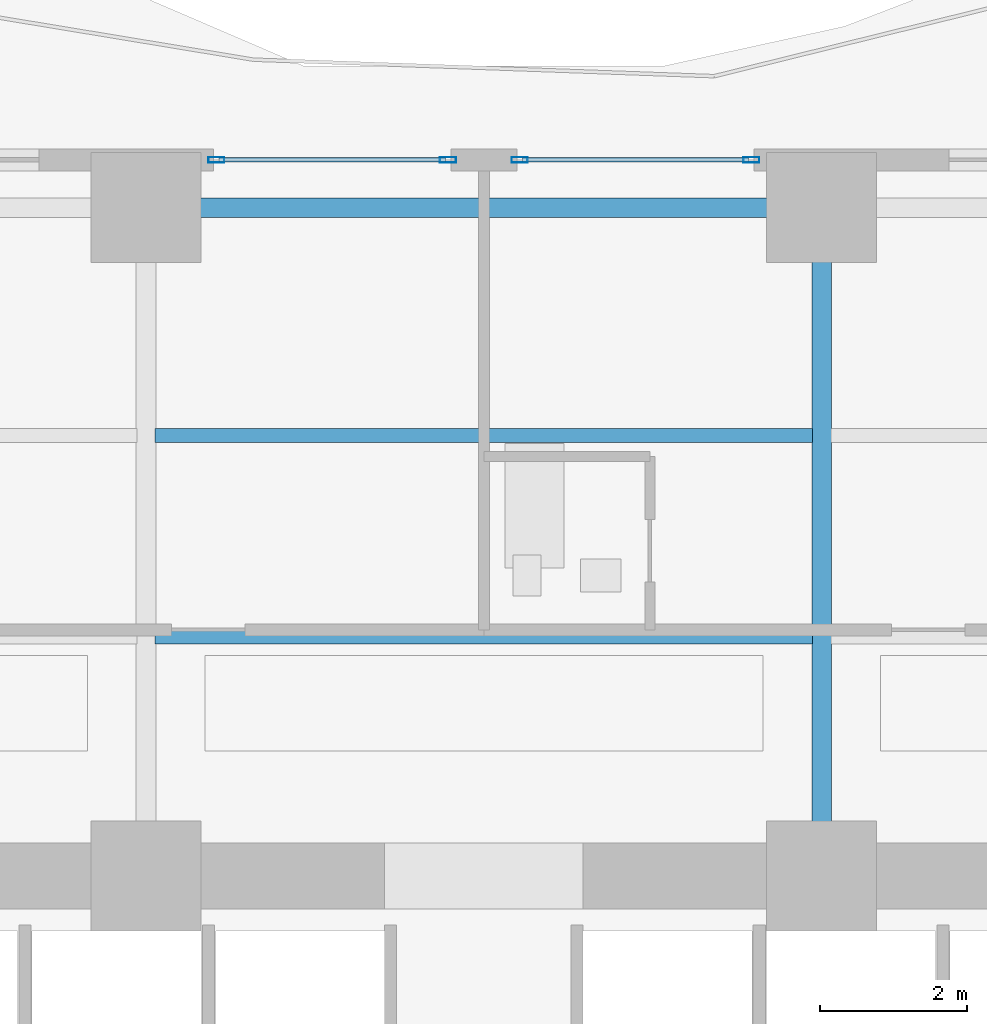
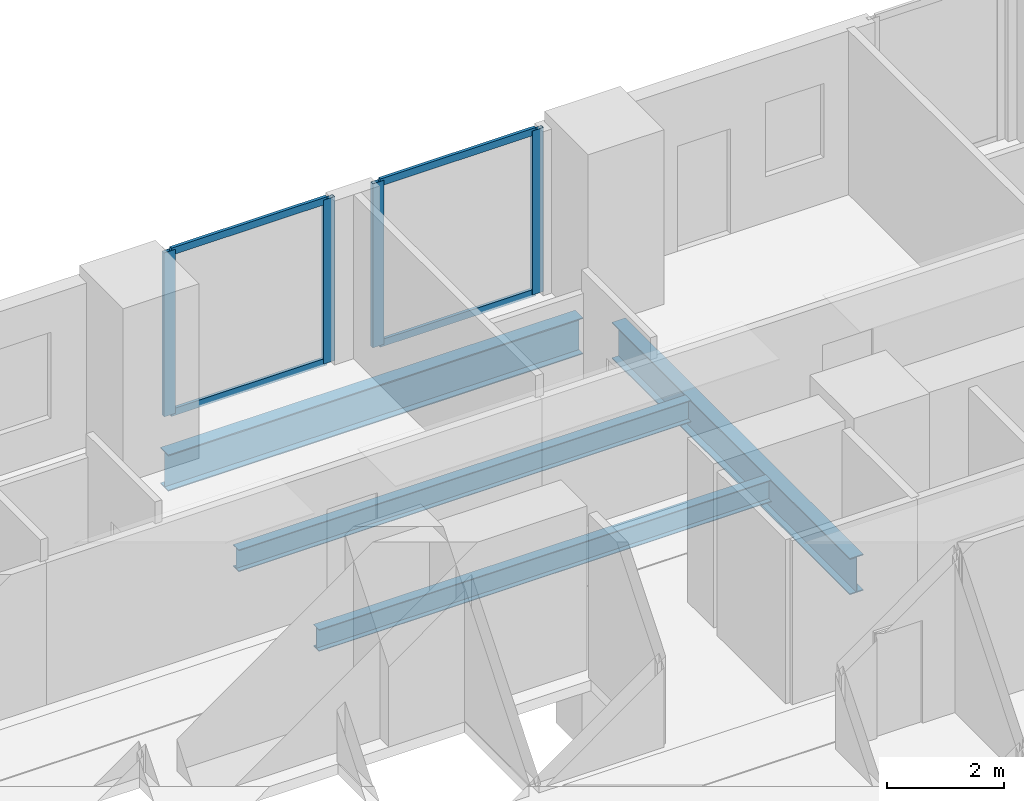
# One storey, part 15 of 30: 8 members, 4 beams, 2 elements without a shape of their own.
"""IFC4 building model written with IfcOpenShell, lengths in metres."""

from ifc_helpers import new_model, si_unit, direction, frame, origin, origin_2d, place, context, subcontext, project, spatial, hollow_rectangle, i_section, extrude, material, layer, layer_set, material_profile, profile_set, type_object, element, aggregate, save


model = new_model("IFC4")

# Units and contexts
model_context = context("Model", 3, precision=1e-05, world=origin(), true_north=direction((0.0, 1.0)))
body_context = subcontext(model_context, "Body", "Model", "MODEL_VIEW")
ifc_project = project(units=[si_unit("LENGTHUNIT", "METRE"), si_unit("AREAUNIT", "SQUARE_METRE"), si_unit("VOLUMEUNIT", "CUBIC_METRE"), si_unit("PLANEANGLEUNIT", "RADIAN"), si_unit("MASSUNIT", "GRAM", prefix="KILO")], contexts=[model_context])

# Site, building, storey
site_placement = place(None, origin())
site = spatial("IfcSite", under=ifc_project, at=site_placement, CompositionType="ELEMENT")
building_placement = place(site_placement, origin())
building = spatial("IfcBuilding", under=site, at=building_placement, Name="Zuhayl Quay Hotel", CompositionType="ELEMENT")
storey_placement = place(building_placement, frame((0.0, 0.0, 82.35009765625)))
storey = spatial("IfcBuildingStorey", under=building, at=storey_placement, Name="L20", CompositionType="ELEMENT", Elevation=82.35009765625)

# Beams
ifc_material_1 = material(Name="Steel ASTM A992 Grade 50", Category="steel")
ifc_material_profile_1 = material_profile(ifc_material_1, i_section(OverallWidth=0.26708984375, OverallDepth=0.761962890625, WebThickness=0.014404296875, FlangeThickness=0.021484375, at=origin_2d()), Name="W30X116")
ifc_profile_set_1 = profile_set([ifc_material_profile_1], Name="Steel ASTM A992 Grade 50")
beam_type_1 = type_object("IfcBeamType", Name="BM_B1_W30X116", PredefinedType="BEAM", material=ifc_profile_set_1)
beam_1_placement = place(storey_placement, frame((4.10009765625, 22.449951171875, -0.60107421875), z_axis=(-1.0, 0.0, 0.0), x_axis=(0.0, -1.0, 0.0)))
element("IfcBeam", 1, at=beam_1_placement, inside=storey, type_object=beam_type_1, Name="L20 Floor Beam RG_L20_08", PredefinedType="BEAM", context=body_context, shape_type="SweptSolid", body=[
    extrude(i_section(OverallWidth=0.26708984375, OverallDepth=0.761962890625, WebThickness=0.014404296875, FlangeThickness=0.021484375, at=origin_2d()), origin(), (0.0, 0.0, 1.0), 8.2001953125),
])
beam_2_placement = place(storey_placement, frame((4.60009765625, 13.800048828125, -0.60107421875), z_axis=(0.0, 1.0, 0.0), x_axis=(-1.0, 0.0, 0.0)))
element("IfcBeam", 2, at=beam_2_placement, inside=storey, type_object=beam_type_1, Name="L20 Floor Beam FG_N_L20_3", PredefinedType="BEAM", context=body_context, shape_type="SweptSolid", body=[
    extrude(i_section(OverallWidth=0.26708984375, OverallDepth=0.761962890625, WebThickness=0.014404296875, FlangeThickness=0.021484375, at=origin_2d()), origin(), (0.0, 0.0, 1.0), 8.14990234375),
])
ifc_material_profile_2 = material_profile(ifc_material_1, i_section(OverallWidth=0.18994140625, OverallDepth=0.45703125, WebThickness=0.009033203125, FlangeThickness=0.014404296875, at=origin_2d()), Name="W18X50")
ifc_profile_set_2 = profile_set([ifc_material_profile_2], Name="Steel ASTM A992 Grade 50")
beam_type_2 = type_object("IfcBeamType", Name="BM_J2_W18X50", PredefinedType="JOIST", material=ifc_profile_set_2)
for number, where, z_axis, x_axis, name in (
    (3, (-4.474609375, 16.60009765625, -0.448486328125), (1.0, 0.0, 0.0), (0.0, 1.0, 0.0), "L20 Floor Beam FJ_L20_1_2"),
    (4, (-4.474609375, 19.35009765625, -0.448486328125), (1.0, 0.0, 0.0), (0.0, 1.0, 0.0), "L20 Floor Beam FJ_L20_2_2"),
):
    element("IfcBeam", number, at=place(storey_placement, frame(where, z_axis=z_axis, x_axis=x_axis)), inside=storey, type_object=beam_type_2, Name=name, PredefinedType="JOIST", context=body_context, shape_type="SweptSolid", body=[
        extrude(i_section(OverallWidth=0.18994140625, OverallDepth=0.45703125, WebThickness=0.009033203125, FlangeThickness=0.014404296875, at=origin_2d()), origin(), (0.0, 0.0, 1.0), 8.94921875),
    ])

# Curtain wall, members
ifc_material_2 = material(Name="Anodised Aluminium 6063-T6", Category="aluminium")
ifc_layer = layer(ifc_material_2, 0.18994140625, Name="Anodised Aluminium 6063-T6", Category="aluminium")
ifc_layer_set = layer_set([ifc_layer], Name="Anodised Aluminium 6063-T6")
curtain_wall_type = type_object("IfcCurtainWallType", Name="CW_SYS_Z1", PredefinedType="USERDEFINED", material=ifc_layer_set)
curtain_wall_1_placement = place(storey_placement, origin())
curtain_wall_1 = element("IfcCurtainWall", 5, at=curtain_wall_1_placement, inside=storey, type_object=curtain_wall_type, Name="L20 Curtain Wall ENV_L20_N_CW4", ObjectType="UNITISED CURTAIN WALL", PredefinedType="USERDEFINED")
ifc_material_3 = material(Name="Black-anodised aluminium 6063-T6", Category="aluminium")
ifc_material_profile_3 = material_profile(ifc_material_3, hollow_rectangle(XDim=0.074951171875, YDim=0.219970703125, WallThickness=0.00390625, at=origin_2d()), Name="ALU220X75")
ifc_profile_set_3 = profile_set([ifc_material_profile_3], Name="Black-anodised aluminium 6063-T6")
member_type_1 = type_object("IfcMemberType", Name="MB_CW_MUL_220", PredefinedType="MULLION", material=ifc_profile_set_3)
member_1_placement = place(storey_placement, frame((-3.642578125, 23.10009765625, 0.0), z_axis=(0.0, 0.0, 1.0), x_axis=(0.0, 1.0, 0.0)))
member_1 = element("IfcMember", 6, at=member_1_placement, type_object=member_type_1, Name="CW-Z1 mullion 1", PredefinedType="MULLION", context=body_context, shape_type="SweptSolid", body=[
    extrude(hollow_rectangle(XDim=0.074951171875, YDim=0.219970703125, WallThickness=0.00390625, at=origin_2d()), origin(), (0.0, 0.0, 1.0), 3.429931640625),
])
member_2_placement = place(storey_placement, frame((-0.487548828125, 23.10009765625, 0.0), z_axis=(0.0, 0.0, 1.0), x_axis=(0.0, 1.0, 0.0)))
member_2 = element("IfcMember", 7, at=member_2_placement, type_object=member_type_1, Name="CW-Z1 mullion 2", PredefinedType="MULLION", context=body_context, shape_type="SweptSolid", body=[
    extrude(hollow_rectangle(XDim=0.074951171875, YDim=0.219970703125, WallThickness=0.00390625, at=origin_2d()), origin(), (0.0, 0.0, 1.0), 3.429931640625),
])

curtain_wall_2_placement = place(storey_placement, origin())
curtain_wall_2 = element("IfcCurtainWall", 8, at=curtain_wall_2_placement, inside=storey, type_object=curtain_wall_type, Name="L20 Curtain Wall ENV_L20_N_CW5", ObjectType="UNITISED CURTAIN WALL", PredefinedType="USERDEFINED")
member_3_placement = place(storey_placement, frame((0.487548828125, 23.10009765625, 0.0), z_axis=(0.0, 0.0, 1.0), x_axis=(0.0, 1.0, 0.0)))
member_3 = element("IfcMember", 9, at=member_3_placement, type_object=member_type_1, Name="CW-Z1 mullion 1", PredefinedType="MULLION", context=body_context, shape_type="SweptSolid", body=[
    extrude(hollow_rectangle(XDim=0.074951171875, YDim=0.219970703125, WallThickness=0.00390625, at=origin_2d()), origin(), (0.0, 0.0, 1.0), 3.429931640625),
])
member_4_placement = place(storey_placement, frame((3.642578125, 23.10009765625, 0.0), z_axis=(0.0, 0.0, 1.0), x_axis=(0.0, 1.0, 0.0)))
member_4 = element("IfcMember", 10, at=member_4_placement, type_object=member_type_1, Name="CW-Z1 mullion 2", PredefinedType="MULLION", context=body_context, shape_type="SweptSolid", body=[
    extrude(hollow_rectangle(XDim=0.074951171875, YDim=0.219970703125, WallThickness=0.00390625, at=origin_2d()), origin(), (0.0, 0.0, 1.0), 3.429931640625),
])

# Member
ifc_material_profile_4 = material_profile(ifc_material_3, hollow_rectangle(XDim=0.06005859375, YDim=0.14990234375, WallThickness=0.00341796875, at=origin_2d()), Name="ALU150X60")
ifc_profile_set_4 = profile_set([ifc_material_profile_4], Name="Black-anodised aluminium 6063-T6")
member_type_2 = type_object("IfcMemberType", Name="MB_CW_TRN_150", PredefinedType="USERDEFINED", material=ifc_profile_set_4)
member_5_placement = place(storey_placement, frame((-3.60498046875, 23.10009765625, 0.02978515625), z_axis=(1.0, 0.0, 0.0), x_axis=(0.0, 1.0, 0.0)))
member_5 = element("IfcMember", 11, at=member_5_placement, type_object=member_type_2, Name="CW-Z1 transom 1.1", ObjectType="TRANSOM", PredefinedType="USERDEFINED", context=body_context, shape_type="SweptSolid", body=[
    extrude(hollow_rectangle(XDim=0.06005859375, YDim=0.14990234375, WallThickness=0.00341796875, at=origin_2d()), origin(), (0.0, 0.0, 1.0), 3.080078125),
])

member_6_placement = place(storey_placement, frame((-3.60498046875, 23.10009765625, 3.39990234375), z_axis=(1.0, 0.0, 0.0), x_axis=(0.0, 1.0, 0.0)))
member_6 = element("IfcMember", 12, at=member_6_placement, type_object=member_type_2, Name="CW-Z1 transom 1.2", ObjectType="TRANSOM", PredefinedType="USERDEFINED", context=body_context, shape_type="SweptSolid", body=[
    extrude(hollow_rectangle(XDim=0.06005859375, YDim=0.14990234375, WallThickness=0.00341796875, at=origin_2d()), origin(), (0.0, 0.0, 1.0), 3.080078125),
])

aggregate(curtain_wall_1, [member_1, member_2, member_5, member_6])

member_7_placement = place(storey_placement, frame((0.52490234375, 23.10009765625, 0.02978515625), z_axis=(1.0, 0.0, 0.0), x_axis=(0.0, 1.0, 0.0)))
member_7 = element("IfcMember", 13, at=member_7_placement, type_object=member_type_2, Name="CW-Z1 transom 1.1", ObjectType="TRANSOM", PredefinedType="USERDEFINED", context=body_context, shape_type="SweptSolid", body=[
    extrude(hollow_rectangle(XDim=0.06005859375, YDim=0.14990234375, WallThickness=0.00341796875, at=origin_2d()), origin(), (0.0, 0.0, 1.0), 3.080078125),
])

member_8_placement = place(storey_placement, frame((0.52490234375, 23.10009765625, 3.39990234375), z_axis=(1.0, 0.0, 0.0), x_axis=(0.0, 1.0, 0.0)))
member_8 = element("IfcMember", 14, at=member_8_placement, type_object=member_type_2, Name="CW-Z1 transom 1.2", ObjectType="TRANSOM", PredefinedType="USERDEFINED", context=body_context, shape_type="SweptSolid", body=[
    extrude(hollow_rectangle(XDim=0.06005859375, YDim=0.14990234375, WallThickness=0.00341796875, at=origin_2d()), origin(), (0.0, 0.0, 1.0), 3.080078125),
])

aggregate(curtain_wall_2, [member_3, member_4, member_7, member_8])

save(model, "model.ifc")
